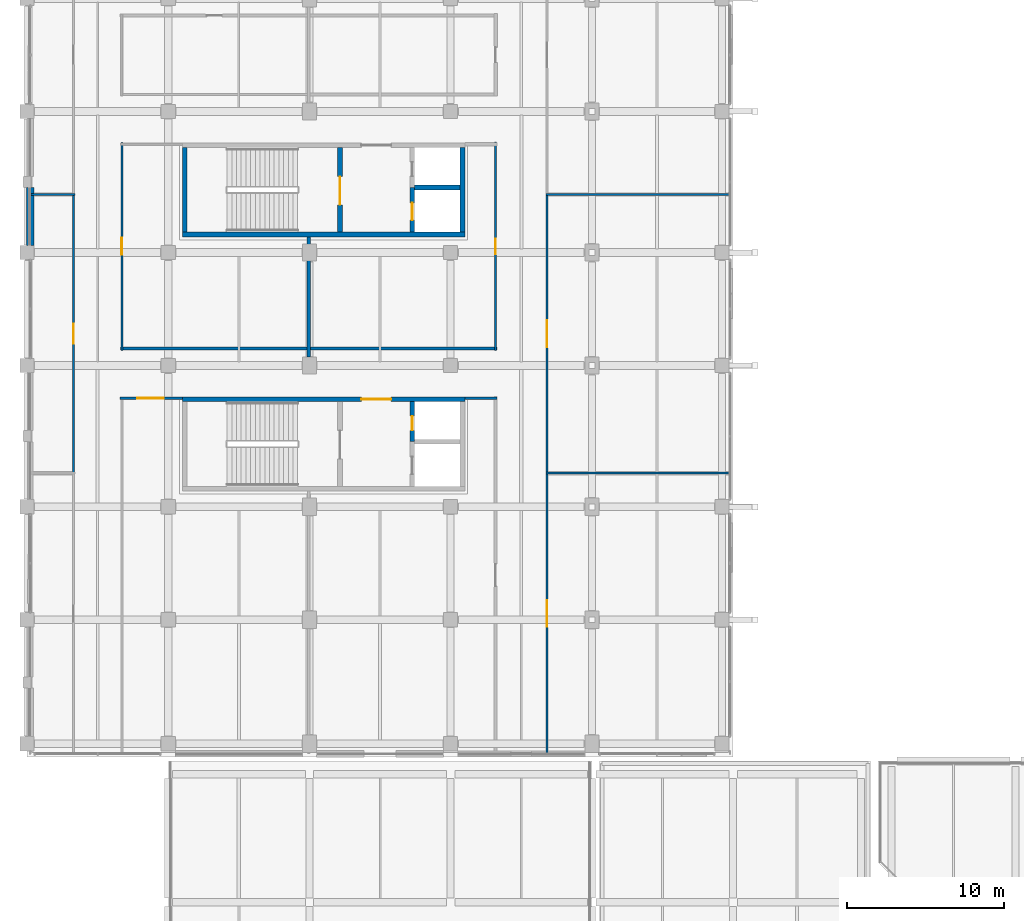
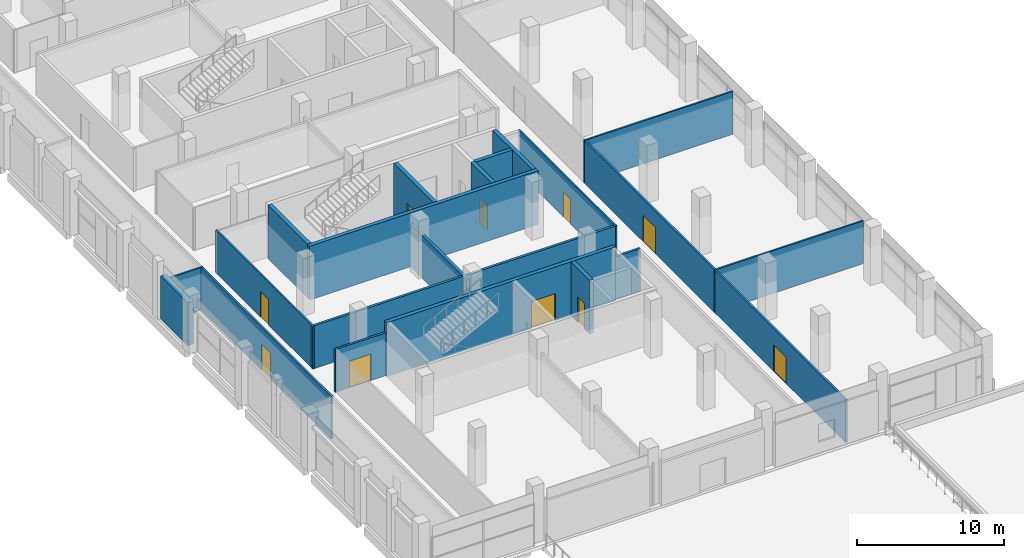
# One storey, part 47 of 82: 22 walls, 10 doors, 10 openings.
"""IFC4 building model written with IfcOpenShell, lengths in metres."""

from ifc_helpers import new_model, si_unit, direction, frame, frame_2d, origin, place, context, subcontext, project, spatial, rectangle, extrude, material, layer, layer_set, type_object, element, fill, save


model = new_model("IFC4")

# Units and contexts
model_context = context("Model", 3, precision=1e-05, world=origin(), true_north=direction((0.0, 1.0)))
body_context = subcontext(model_context, "Body", "Model", "MODEL_VIEW")
ifc_project = project(units=[si_unit("LENGTHUNIT", "METRE"), si_unit("AREAUNIT", "SQUARE_METRE"), si_unit("VOLUMEUNIT", "CUBIC_METRE"), si_unit("PLANEANGLEUNIT", "RADIAN"), si_unit("MASSUNIT", "GRAM", prefix="KILO"), si_unit("THERMODYNAMICTEMPERATUREUNIT", "KELVIN"), si_unit("POWERUNIT", "WATT")], contexts=[model_context])

# Site, building, storey
site_placement = place(None, origin())
site = spatial("IfcSite", under=ifc_project, at=site_placement, CompositionType="ELEMENT")
building_placement = place(site_placement, origin())
building = spatial("IfcBuilding", under=site, at=building_placement, Name="Sindhuravela Promenade Stadium", CompositionType="ELEMENT")
storey_placement = place(building_placement, frame((0.0, 0.0, 14.39990234375)))
storey = spatial("IfcBuildingStorey", under=building, at=storey_placement, Name="L03", CompositionType="ELEMENT", Elevation=14.39990234375)

# Wall
ifc_material_1 = material(Name="Terracotta clay brick masonry (15 MPa)", Category="masonry")
ifc_layer_1 = layer(ifc_material_1, 0.4599609375)
ifc_layer_set_1 = layer_set([ifc_layer_1], Name="Terracotta clay brick masonry (15 MPa)")
wall_type_1 = type_object("IfcWallType", Name="EX-WL-BRK460", PredefinedType="SOLIDWALL", material=ifc_layer_set_1)
wall_1_placement = place(storey_placement, frame((0.199951171875, 68.85498046875, 0.0), z_axis=(0.0, 0.0, 1.0), x_axis=(0.0, 1.0, 0.0)))
element("IfcWall", 1, at=wall_1_placement, inside=storey, type_object=wall_type_1, Name="Exterior masonry wall EW01 WEST L03", PredefinedType="SOLIDWALL", context=body_context, shape_type="SweptSolid", body=[
    extrude(rectangle(XDim=3.68994140625, YDim=0.4599609375, at=frame_2d((1.844970703125, 0.0))), origin(), (0.0, 0.0, 1.0), 3.580078125),
])

# Wall, opening, door
ifc_material_2 = material(Name="Fire-rated gypsum partition board", Category="gypsum")
ifc_layer_2 = layer(ifc_material_2, 0.110107421875)
ifc_layer_set_2 = layer_set([ifc_layer_2], Name="Fire-rated gypsum partition board")
wall_type_2 = type_object("IfcWallType", Name="IN-WL-PAR110", PredefinedType="PARTITIONING", material=ifc_layer_set_2)
wall_2_placement = place(storey_placement, frame((29.860107421875, 62.169921875, 0.0), z_axis=(0.0, 0.0, 1.0), x_axis=(0.0, 1.0, 0.0)))
wall_2 = element("IfcWall", 2, at=wall_2_placement, inside=storey, type_object=wall_type_2, Name="Corridor partition IW06 Executive Hospitality Suite W03 5", PredefinedType="PARTITIONING", context=body_context, shape_type="SweptSolid", body=[
    extrude(rectangle(XDim=13.260009765625, YDim=0.110107421875, at=frame_2d((6.6298828125, 0.0))), origin(), (0.0, 0.0, 1.0), 3.56005859375),
])
opening_1_placement = place(wall_2_placement, frame((6.1298828125, 0.0, 0.0)))
opening_1 = element("IfcOpeningElement", 3, at=opening_1_placement, cuts=wall_2, Name="Opening ID08", PredefinedType="OPENING", context=body_context, shape_type="SweptSolid", body=[
    extrude(rectangle(XDim=1.0, YDim=2.10009765625, at=frame_2d((0.5, 1.050048828125))), frame((0.0, 0.06494140625, 0.0), z_axis=(0.0, -1.0, 0.0), x_axis=(1.0, 0.0, 0.0)), (0.0, 0.0, 1.0), 0.130126953125),
])
ifc_material_3 = material(Name="Architectural teak timber leaf", Category="wood")
door_type_1 = type_object("IfcDoorType", Name="DR-INT-1000x2100", OperationType="NOTDEFINED", PredefinedType="DOOR", material=ifc_material_3)
door_1_placement = place(opening_1_placement, origin())
door_1 = element("IfcDoor", 4, at=door_1_placement, inside=storey, type_object=door_type_1, Name="Executive Hospitality Suite W03 5 door", OperationType="SINGLE_SWING_RIGHT", OverallHeight=2.10009765625, OverallWidth=1.0, PredefinedType="DOOR", context=body_context, shape_type="SweptSolid", body=[
    extrude(rectangle(XDim=1.0, YDim=2.10009765625, at=frame_2d((0.5, 1.050048828125))), frame((0.0, 0.02490234375, 0.0), z_axis=(0.0, -1.0, 0.0), x_axis=(1.0, 0.0, 0.0)), (0.0, 0.0, 1.0), 0.050048828125),
])
fill(opening_1, door_1)

# Walls
ifc_layer_3 = layer(ifc_material_2, 0.1298828125)
ifc_layer_set_3 = layer_set([ifc_layer_3], Name="Fire-rated gypsum partition board")
wall_type_3 = type_object("IfcWallType", Name="IN-WL-PAR130", PredefinedType="PARTITIONING", material=ifc_layer_set_3)
for number, where, z_axis, x_axis, name in (
    (5, (33.06005859375, 54.342041015625, 0.0), (0.0, 0.0, 1.0), (1.0, 0.0, 0.0), "Interior partition IW05 WEST L03"),
    (6, (33.06005859375, 72.114013671875, 0.0), (0.0, 0.0, 1.0), (1.0, 0.0, 0.0), "Interior partition IW05 WEST L03"),
):
    element("IfcWall", number, at=place(storey_placement, frame(where, z_axis=z_axis, x_axis=x_axis)), inside=storey, type_object=wall_type_3, Name=name, PredefinedType="PARTITIONING", context=body_context, shape_type="SweptSolid", body=[
        extrude(rectangle(XDim=11.70703125, YDim=0.1298828125, at=frame_2d((5.853515625, 0.0))), origin(), (0.0, 0.0, 1.0), 3.56005859375),
    ])

# Wall, opening, door
wall_3_placement = place(storey_placement, frame((6.0400390625, 75.429931640625, 0.0), z_axis=(0.0, 0.0, 1.0), x_axis=(0.0, -1.0, 0.0)))
wall_3 = element("IfcWall", 7, at=wall_3_placement, inside=storey, type_object=wall_type_3, Name="Corridor partition IW05 Executive Hospitality Suite W01 3", PredefinedType="PARTITIONING", context=body_context, shape_type="SweptSolid", body=[
    extrude(rectangle(XDim=13.260009765625, YDim=0.1298828125, at=frame_2d((6.6298828125, 0.0))), origin(), (0.0, 0.0, 1.0), 3.56005859375),
])
opening_2_placement = place(wall_3_placement, frame((6.080078125, 0.0, 0.0)))
opening_2 = element("IfcOpeningElement", 8, at=opening_2_placement, cuts=wall_3, Name="Opening ID06", PredefinedType="OPENING", context=body_context, shape_type="SweptSolid", body=[
    extrude(rectangle(XDim=1.10009765625, YDim=2.10009765625, at=frame_2d((0.550048828125, 1.050048828125))), frame((0.0, 0.074951171875, 0.0), z_axis=(0.0, -1.0, 0.0), x_axis=(1.0, 0.0, 0.0)), (0.0, 0.0, 1.0), 0.14990234375),
])
door_type_2 = type_object("IfcDoorType", Name="DR-INT-1100x2100", OperationType="NOTDEFINED", PredefinedType="DOOR", material=ifc_material_3)
door_2_placement = place(opening_2_placement, origin())
door_2 = element("IfcDoor", 9, at=door_2_placement, inside=storey, type_object=door_type_2, Name="Executive Hospitality Suite W01 3 door", OperationType="SINGLE_SWING_RIGHT", OverallHeight=2.10009765625, OverallWidth=1.10009765625, PredefinedType="DOOR", context=body_context, shape_type="SweptSolid", body=[
    extrude(rectangle(XDim=1.10009765625, YDim=2.10009765625, at=frame_2d((0.550048828125, 1.050048828125))), frame((0.0, 0.02490234375, 0.0), z_axis=(0.0, -1.0, 0.0), x_axis=(1.0, 0.0, 0.0)), (0.0, 0.0, 1.0), 0.050048828125),
])
fill(opening_2, door_2)

# Wall
wall_4_placement = place(storey_placement, frame((0.239990234375, 72.114013671875, 0.0), z_axis=(0.0, 0.0, 1.0), x_axis=(1.0, 0.0, 0.0)))
element("IfcWall", 10, at=wall_4_placement, inside=storey, type_object=wall_type_3, Name="Interior partition IW05 WEST L03", PredefinedType="PARTITIONING", context=body_context, shape_type="SweptSolid", body=[
    extrude(rectangle(XDim=2.800048828125, YDim=0.1298828125, at=frame_2d((1.39990234375, 0.0))), origin(), (0.0, 0.0, 1.0), 3.56005859375),
])

# Wall, opening, door
ifc_layer_4 = layer(ifc_material_2, 0.14990234375)
ifc_layer_set_4 = layer_set([ifc_layer_4], Name="Fire-rated gypsum partition board")
wall_type_4 = type_object("IfcWallType", Name="IN-WL-PAR150", PredefinedType="PARTITIONING", material=ifc_layer_set_4)
wall_5_placement = place(storey_placement, frame((33.139892578125, 54.342041015625, 0.0), z_axis=(0.0, 0.0, 1.0), x_axis=(0.0, -1.0, 0.0)))
wall_5 = element("IfcWall", 11, at=wall_5_placement, inside=storey, type_object=wall_type_4, Name="Corridor partition IW04 Executive Hospitality Suite W03", PredefinedType="PARTITIONING", context=body_context, shape_type="SweptSolid", body=[
    extrude(rectangle(XDim=17.89208984375, YDim=0.14990234375, at=frame_2d((8.946044921875, 0.0))), origin(), (0.0, 0.0, 1.0), 3.56005859375),
])
opening_3_placement = place(wall_5_placement, frame((8.095947265625, 0.0, 0.0)))
opening_3 = element("IfcOpeningElement", 12, at=opening_3_placement, cuts=wall_5, Name="Opening ID01", PredefinedType="OPENING", context=body_context, shape_type="SweptSolid", body=[
    extrude(rectangle(XDim=1.699951171875, YDim=2.199951171875, at=frame_2d((0.85009765625, 1.10009765625))), frame((0.0, 0.0849609375, 0.0), z_axis=(0.0, -1.0, 0.0), x_axis=(1.0, 0.0, 0.0)), (0.0, 0.0, 1.0), 0.169921875),
])
door_type_3 = type_object("IfcDoorType", Name="DR-INT-1700x2200", OperationType="DOUBLE_DOOR_SINGLE_SWING", PredefinedType="DOOR", material=ifc_material_3)
door_3_placement = place(opening_3_placement, origin())
door_3 = element("IfcDoor", 13, at=door_3_placement, inside=storey, type_object=door_type_3, Name="Executive Hospitality Suite W03 door", OperationType="DOUBLE_DOOR_SINGLE_SWING", OverallHeight=2.199951171875, OverallWidth=1.699951171875, PredefinedType="DOOR", context=body_context, shape_type="SweptSolid", body=[
    extrude(rectangle(XDim=1.699951171875, YDim=2.199951171875, at=frame_2d((0.85009765625, 1.10009765625))), frame((0.0, 0.02490234375, 0.0), z_axis=(0.0, -1.0, 0.0), x_axis=(1.0, 0.0, 0.0)), (0.0, 0.0, 1.0), 0.050048828125),
])
fill(opening_3, door_3)

wall_6_placement = place(storey_placement, frame((33.139892578125, 72.114013671875, 0.0), z_axis=(0.0, 0.0, 1.0), x_axis=(0.0, -1.0, 0.0)))
wall_6 = element("IfcWall", 14, at=wall_6_placement, inside=storey, type_object=wall_type_4, Name="Corridor partition IW04 Accessible WC West L03", PredefinedType="PARTITIONING", context=body_context, shape_type="SweptSolid", body=[
    extrude(rectangle(XDim=17.77197265625, YDim=0.14990234375, at=frame_2d((8.885986328125, 0.0))), origin(), (0.0, 0.0, 1.0), 3.56005859375),
])
opening_4_placement = place(wall_6_placement, frame((8.035888671875, 0.0, 0.0)))
opening_4 = element("IfcOpeningElement", 15, at=opening_4_placement, cuts=wall_6, Name="Opening ID01", PredefinedType="OPENING", context=body_context, shape_type="SweptSolid", body=[
    extrude(rectangle(XDim=1.699951171875, YDim=2.199951171875, at=frame_2d((0.85009765625, 1.10009765625))), frame((0.0, 0.0849609375, 0.0), z_axis=(0.0, -1.0, 0.0), x_axis=(1.0, 0.0, 0.0)), (0.0, 0.0, 1.0), 0.169921875),
])
door_4_placement = place(opening_4_placement, origin())
door_4 = element("IfcDoor", 16, at=door_4_placement, inside=storey, type_object=door_type_3, Name="Accessible WC West L03 door", OperationType="DOUBLE_DOOR_SINGLE_SWING", OverallHeight=2.199951171875, OverallWidth=1.699951171875, PredefinedType="DOOR", context=body_context, shape_type="SweptSolid", body=[
    extrude(rectangle(XDim=1.699951171875, YDim=2.199951171875, at=frame_2d((0.85009765625, 1.10009765625))), frame((0.0, 0.02490234375, 0.0), z_axis=(0.0, -1.0, 0.0), x_axis=(1.0, 0.0, 0.0)), (0.0, 0.0, 1.0), 0.050048828125),
])
fill(opening_4, door_4)

wall_7_placement = place(storey_placement, frame((2.9599609375, 54.342041015625, 0.0), z_axis=(0.0, 0.0, 1.0), x_axis=(0.0, 1.0, 0.0)))
wall_7 = element("IfcWall", 17, at=wall_7_placement, inside=storey, type_object=wall_type_4, Name="Corridor partition IW04 Executive Hospitality Suite W01 11", PredefinedType="PARTITIONING", context=body_context, shape_type="SweptSolid", body=[
    extrude(rectangle(XDim=17.77197265625, YDim=0.14990234375, at=frame_2d((8.885986328125, 0.0))), origin(), (0.0, 0.0, 1.0), 3.56005859375),
])
opening_5_placement = place(wall_7_placement, frame((8.260986328125, 0.0, 0.0)))
opening_5 = element("IfcOpeningElement", 18, at=opening_5_placement, cuts=wall_7, Name="Opening ID04", PredefinedType="OPENING", context=body_context, shape_type="SweptSolid", body=[
    extrude(rectangle(XDim=1.25, YDim=2.14990234375, at=frame_2d((0.625, 1.074951171875))), frame((0.0, 0.0849609375, 0.0), z_axis=(0.0, -1.0, 0.0), x_axis=(1.0, 0.0, 0.0)), (0.0, 0.0, 1.0), 0.169921875),
])
door_type_4 = type_object("IfcDoorType", Name="DR-INT-1250x2150", OperationType="NOTDEFINED", PredefinedType="DOOR", material=ifc_material_3)
door_5_placement = place(opening_5_placement, origin())
door_5 = element("IfcDoor", 19, at=door_5_placement, inside=storey, type_object=door_type_4, Name="Executive Hospitality Suite W01 11 door", OperationType="SINGLE_SWING_RIGHT", OverallHeight=2.14990234375, OverallWidth=1.25, PredefinedType="DOOR", context=body_context, shape_type="SweptSolid", body=[
    extrude(rectangle(XDim=1.25, YDim=2.14990234375, at=frame_2d((0.625, 1.074951171875))), frame((0.0, 0.02490234375, 0.0), z_axis=(0.0, -1.0, 0.0), x_axis=(1.0, 0.0, 0.0)), (0.0, 0.0, 1.0), 0.050048828125),
])
fill(opening_5, door_5)

ifc_layer_5 = layer(ifc_material_2, 0.175048828125)
ifc_layer_set_5 = layer_set([ifc_layer_5], Name="Fire-rated gypsum partition board")
wall_type_5 = type_object("IfcWallType", Name="IN-WL-PAR175", PredefinedType="PARTITIONING", material=ifc_layer_set_5)
wall_8_placement = place(storey_placement, frame((9.89794921875, 59.110107421875, 0.0), z_axis=(0.0, 0.0, 1.0), x_axis=(-1.0, 0.0, 0.0)))
wall_8 = element("IfcWall", 20, at=wall_8_placement, inside=storey, type_object=wall_type_5, Name="Corridor partition IW03 Grand Banquet Hall West", PredefinedType="PARTITIONING", context=body_context, shape_type="SweptSolid", body=[
    extrude(rectangle(XDim=3.97802734375, YDim=0.175048828125, at=frame_2d((1.989013671875, 0.0))), origin(), (0.0, 0.0, 1.0), 3.56005859375),
])
opening_6_placement = place(wall_8_placement, frame((1.177978515625, 0.0, 0.0)))
opening_6 = element("IfcOpeningElement", 21, at=opening_6_placement, cuts=wall_8, Name="Opening ID01", PredefinedType="OPENING", context=body_context, shape_type="SweptSolid", body=[
    extrude(rectangle(XDim=1.699951171875, YDim=2.199951171875, at=frame_2d((0.85009765625, 1.10009765625))), frame((0.0, 0.097412109375, 0.0), z_axis=(0.0, -1.0, 0.0), x_axis=(1.0, 0.0, 0.0)), (0.0, 0.0, 1.0), 0.195068359375),
])
door_6_placement = place(opening_6_placement, origin())
door_6 = element("IfcDoor", 22, at=door_6_placement, inside=storey, type_object=door_type_3, Name="Grand Banquet Hall West door", OperationType="DOUBLE_DOOR_SINGLE_SWING", OverallHeight=2.199951171875, OverallWidth=1.699951171875, PredefinedType="DOOR", context=body_context, shape_type="SweptSolid", body=[
    extrude(rectangle(XDim=1.699951171875, YDim=2.199951171875, at=frame_2d((0.85009765625, 1.10009765625))), frame((0.0, 0.02490234375, 0.0), z_axis=(0.0, -1.0, 0.0), x_axis=(1.0, 0.0, 0.0)), (0.0, 0.0, 1.0), 0.050048828125),
])
fill(opening_6, door_6)

# Walls
wall_9_placement = place(storey_placement, frame((27.902099609375, 59.110107421875, 0.0), z_axis=(0.0, 0.0, 1.0), x_axis=(1.0, 0.0, 0.0)))
element("IfcWall", 23, at=wall_9_placement, inside=storey, type_object=wall_type_5, Name="Interior partition IW03 WEST L03", PredefinedType="PARTITIONING", context=body_context, shape_type="SweptSolid", body=[
    extrude(rectangle(XDim=2.037841796875, YDim=0.175048828125, at=frame_2d((1.01904296875, 0.0))), origin(), (0.0, 0.0, 1.0), 3.56005859375),
])
ifc_layer_6 = layer(ifc_material_2, 0.195068359375)
ifc_layer_set_6 = layer_set([ifc_layer_6], Name="Fire-rated gypsum partition board")
wall_type_6 = type_object("IfcWallType", Name="IN-WL-PAR195", PredefinedType="PARTITIONING", material=ifc_layer_set_6)
for number, where, z_axis, x_axis, name in (
    (24, (17.909912109375, 62.2900390625, 0.0), (0.0, 0.0, 1.0), (-1.0, 0.0, 0.0), "Interior partition IW02 WEST L03"),
    (25, (29.93994140625, 62.2900390625, 0.0), (0.0, 0.0, 1.0), (-1.0, 0.0, 0.0), "Interior partition IW02 WEST L03"),
):
    element("IfcWall", number, at=place(storey_placement, frame(where, z_axis=z_axis, x_axis=x_axis)), inside=storey, type_object=wall_type_6, Name=name, PredefinedType="PARTITIONING", context=body_context, shape_type="SweptSolid", body=[
        extrude(rectangle(XDim=11.949951171875, YDim=0.195068359375, at=frame_2d((5.97509765625, 0.0))), origin(), (0.0, 0.0, 1.0), 3.56005859375),
    ])
ifc_layer_7 = layer(ifc_material_2, 0.219970703125)
ifc_layer_set_7 = layer_set([ifc_layer_7], Name="Fire-rated gypsum partition board")
wall_type_7 = type_object("IfcWallType", Name="IN-WL-PAR220", PredefinedType="PARTITIONING", material=ifc_layer_set_7)
wall_10_placement = place(storey_placement, frame((17.949951171875, 69.39794921875, 0.0), z_axis=(0.0, 0.0, 1.0), x_axis=(0.0, -1.0, 0.0)))
element("IfcWall", 26, at=wall_10_placement, inside=storey, type_object=wall_type_7, Name="Interior partition IW01 WEST L03", PredefinedType="PARTITIONING", context=body_context, shape_type="SweptSolid", body=[
    extrude(rectangle(XDim=7.64599609375, YDim=0.219970703125, at=frame_2d((3.822998046875, 0.0))), origin(), (0.0, 0.0, 1.0), 3.56005859375),
])

# Wall, opening, door
ifc_material_4 = material(Name="Concrete M50", Category="concrete")
ifc_layer_8 = layer(ifc_material_4, 0.300048828125)
ifc_layer_set_8 = layer_set([ifc_layer_8], Name="Concrete M50")
wall_type_8 = type_object("IfcWallType", Name="RC-SW-300", PredefinedType="SHEAR", material=ifc_layer_set_8)
wall_11_placement = place(storey_placement, frame((27.89990234375, 59.050048828125, 0.0), z_axis=(0.0, 0.0, 1.0), x_axis=(-1.0, 0.0, 0.0)))
wall_11 = element("IfcWall", 27, at=wall_11_placement, inside=storey, type_object=wall_type_8, Name="Core shear wall C01-N (L03)", PredefinedType="SHEAR", context=body_context, shape_type="SweptSolid", body=[
    extrude(rectangle(XDim=18.0, YDim=0.300048828125, at=frame_2d((9.0, 0.0))), origin(), (0.0, 0.0, 1.0), 4.47998046875),
])
opening_7_placement = place(wall_11_placement, frame((4.699951171875, 0.0, 0.0)))
opening_7 = element("IfcOpeningElement", 28, at=opening_7_placement, cuts=wall_11, Name="Opening FD02", PredefinedType="OPENING", context=body_context, shape_type="SweptSolid", body=[
    extrude(rectangle(XDim=1.89990234375, YDim=2.25, at=frame_2d((0.949951171875, 1.125))), frame((0.0, 0.159912109375, 0.0), z_axis=(0.0, -1.0, 0.0), x_axis=(1.0, 0.0, 0.0)), (0.0, 0.0, 1.0), 0.320068359375),
])
ifc_material_5 = material(Name="Architectural wrought steel E350", Category="steel")
door_type_5 = type_object("IfcDoorType", Name="DR-LOB-1900x2250", OperationType="DOUBLE_DOOR_SINGLE_SWING", PredefinedType="DOOR", material=ifc_material_5)
door_7_placement = place(opening_7_placement, origin())
door_7 = element("IfcDoor", 29, at=door_7_placement, inside=storey, type_object=door_type_5, Name="Protected lobby entrance door C01 (L03)", OperationType="DOUBLE_DOOR_SINGLE_SWING", OverallHeight=2.25, OverallWidth=1.89990234375, PredefinedType="DOOR", context=body_context, shape_type="SweptSolid", body=[
    extrude(rectangle(XDim=1.89990234375, YDim=2.25, at=frame_2d((0.949951171875, 1.125))), frame((0.0, 0.02490234375, 0.0), z_axis=(0.0, -1.0, 0.0), x_axis=(1.0, 0.0, 0.0)), (0.0, 0.0, 1.0), 0.050048828125),
])
fill(opening_7, door_7)

wall_12_placement = place(storey_placement, frame((24.550048828125, 56.35009765625, 0.0), z_axis=(0.0, 0.0, 1.0), x_axis=(0.0, 1.0, 0.0)))
wall_12 = element("IfcWall", 30, at=wall_12_placement, inside=storey, type_object=wall_type_8, Name="Core shear wall C01-RSR (L03)", PredefinedType="SHEAR", context=body_context, shape_type="SweptSolid", body=[
    extrude(rectangle(XDim=2.5498046875, YDim=0.300048828125, at=frame_2d((1.27490234375, 0.0))), origin(), (0.0, 0.0, 1.0), 4.47998046875),
])
opening_8_placement = place(wall_12_placement, frame((0.72509765625, 0.0, 0.0)))
opening_8 = element("IfcOpeningElement", 31, at=opening_8_placement, cuts=wall_12, Name="Opening FD03", PredefinedType="OPENING", context=body_context, shape_type="SweptSolid", body=[
    extrude(rectangle(XDim=0.89990234375, YDim=2.10009765625, at=frame_2d((0.449951171875, 1.050048828125))), frame((0.0, 0.159912109375, 0.0), z_axis=(0.0, -1.0, 0.0), x_axis=(1.0, 0.0, 0.0)), (0.0, 0.0, 1.0), 0.320068359375),
])
door_type_6 = type_object("IfcDoorType", Name="DR-RSR-900x2100", OperationType="NOTDEFINED", PredefinedType="DOOR", material=ifc_material_5)
door_8_placement = place(opening_8_placement, origin())
door_8 = element("IfcDoor", 32, at=door_8_placement, inside=storey, type_object=door_type_6, Name="Riser shaft access door C01 (L03)", OperationType="SINGLE_SWING_RIGHT", OverallHeight=2.10009765625, OverallWidth=0.89990234375, PredefinedType="DOOR", context=body_context, shape_type="SweptSolid", body=[
    extrude(rectangle(XDim=0.89990234375, YDim=2.10009765625, at=frame_2d((0.449951171875, 1.050048828125))), frame((0.0, 0.02490234375, 0.0), z_axis=(0.0, -1.0, 0.0), x_axis=(1.0, 0.0, 0.0)), (0.0, 0.0, 1.0), 0.050048828125),
])
fill(opening_8, door_8)

# Walls
wall_13_placement = place(storey_placement, frame((9.89990234375, 69.550048828125, 0.0), z_axis=(0.0, 0.0, 1.0), x_axis=(1.0, 0.0, 0.0)))
element("IfcWall", 33, at=wall_13_placement, inside=storey, type_object=wall_type_8, Name="Core shear wall C02-S (L03)", PredefinedType="SHEAR", context=body_context, shape_type="SweptSolid", body=[
    extrude(rectangle(XDim=18.0, YDim=0.300048828125, at=frame_2d((9.0, 0.0))), origin(), (0.0, 0.0, 1.0), 4.47998046875),
])
for number, where, z_axis, x_axis, name in (
    (34, (10.050048828125, 75.10009765625, 0.0), (0.0, 0.0, 1.0), (0.0, -1.0, 0.0), "Core shear wall C02-W (L03)"),
    (35, (27.75, 69.699951171875, 0.0), (0.0, 0.0, 1.0), (0.0, 1.0, 0.0), "Core shear wall C02-E (L03)"),
):
    element("IfcWall", number, at=place(storey_placement, frame(where, z_axis=z_axis, x_axis=x_axis)), inside=storey, type_object=wall_type_8, Name=name, PredefinedType="SHEAR", context=body_context, shape_type="SweptSolid", body=[
        extrude(rectangle(XDim=5.400146484375, YDim=0.300048828125, at=frame_2d((2.7001953125, 0.0))), origin(), (0.0, 0.0, 1.0), 4.47998046875),
    ])

# Wall, opening, door
wall_14_placement = place(storey_placement, frame((19.949951171875, 69.699951171875, 0.0), z_axis=(0.0, 0.0, 1.0), x_axis=(0.0, 1.0, 0.0)))
wall_14 = element("IfcWall", 36, at=wall_14_placement, inside=storey, type_object=wall_type_8, Name="Core shear wall C02-ST (L03)", PredefinedType="SHEAR", context=body_context, shape_type="SweptSolid", body=[
    extrude(rectangle(XDim=5.400146484375, YDim=0.300048828125, at=frame_2d((2.7001953125, 0.0))), origin(), (0.0, 0.0, 1.0), 4.47998046875),
])
opening_9_placement = place(wall_14_placement, frame((1.75, 0.0, 0.0)))
opening_9 = element("IfcOpeningElement", 37, at=opening_9_placement, cuts=wall_14, Name="Opening FD01", PredefinedType="OPENING", context=body_context, shape_type="SweptSolid", body=[
    extrude(rectangle(XDim=1.800048828125, YDim=2.25, at=frame_2d((0.89990234375, 1.125))), frame((0.0, 0.159912109375, 0.0), z_axis=(0.0, -1.0, 0.0), x_axis=(1.0, 0.0, 0.0)), (0.0, 0.0, 1.0), 0.320068359375),
])
door_type_7 = type_object("IfcDoorType", Name="DR-CORE-1800x2250", OperationType="DOUBLE_DOOR_SINGLE_SWING", PredefinedType="DOOR", material=ifc_material_5)
door_9_placement = place(opening_9_placement, origin())
door_9 = element("IfcDoor", 38, at=door_9_placement, inside=storey, type_object=door_type_7, Name="Stair ST02 lobby fire door (L03)", OperationType="DOUBLE_DOOR_SINGLE_SWING", OverallHeight=2.25, OverallWidth=1.800048828125, PredefinedType="DOOR", context=body_context, shape_type="SweptSolid", body=[
    extrude(rectangle(XDim=1.800048828125, YDim=2.25, at=frame_2d((0.89990234375, 1.125))), frame((0.0, 0.02490234375, 0.0), z_axis=(0.0, -1.0, 0.0), x_axis=(1.0, 0.0, 0.0)), (0.0, 0.0, 1.0), 0.050048828125),
])
fill(opening_9, door_9)

wall_15_placement = place(storey_placement, frame((24.550048828125, 69.699951171875, 0.0), z_axis=(0.0, 0.0, 1.0), x_axis=(0.0, 1.0, 0.0)))
wall_15 = element("IfcWall", 39, at=wall_15_placement, inside=storey, type_object=wall_type_8, Name="Core shear wall C02-LFT (L03)", PredefinedType="SHEAR", context=body_context, shape_type="SweptSolid", body=[
    extrude(rectangle(XDim=2.85009765625, YDim=0.300048828125, at=frame_2d((1.425048828125, 0.0))), origin(), (0.0, 0.0, 1.0), 4.47998046875),
])
opening_10_placement = place(wall_15_placement, frame((0.77490234375, 0.0, 0.0)))
opening_10 = element("IfcOpeningElement", 40, at=opening_10_placement, cuts=wall_15, Name="Opening LD", PredefinedType="OPENING", context=body_context, shape_type="SweptSolid", body=[
    extrude(rectangle(XDim=1.10009765625, YDim=2.10009765625, at=frame_2d((0.550048828125, 1.050048828125))), frame((0.0, 0.159912109375, 0.0), z_axis=(0.0, -1.0, 0.0), x_axis=(1.0, 0.0, 0.0)), (0.0, 0.0, 1.0), 0.320068359375),
])
door_type_8 = type_object("IfcDoorType", Name="DR-LFT-1100x2100", OperationType="DOUBLE_DOOR_SLIDING", PredefinedType="DOOR", material=ifc_material_5)
door_10_placement = place(opening_10_placement, origin())
door_10 = element("IfcDoor", 41, at=door_10_placement, inside=storey, type_object=door_type_8, Name="Lift FL02 landing door (L03)", OperationType="DOUBLE_DOOR_SLIDING", OverallHeight=2.10009765625, OverallWidth=1.10009765625, PredefinedType="DOOR", context=body_context, shape_type="SweptSolid", body=[
    extrude(rectangle(XDim=1.10009765625, YDim=2.10009765625, at=frame_2d((0.550048828125, 1.050048828125))), frame((0.0, 0.02490234375, 0.0), z_axis=(0.0, -1.0, 0.0), x_axis=(1.0, 0.0, 0.0)), (0.0, 0.0, 1.0), 0.050048828125),
])
fill(opening_10, door_10)

# Wall
wall_16_placement = place(storey_placement, frame((24.699951171875, 72.550048828125, 0.0), z_axis=(0.0, 0.0, 1.0), x_axis=(1.0, 0.0, 0.0)))
element("IfcWall", 42, at=wall_16_placement, inside=storey, type_object=wall_type_8, Name="Core shear wall C02-DIV (L03)", PredefinedType="SHEAR", context=body_context, shape_type="SweptSolid", body=[
    extrude(rectangle(XDim=2.900146484375, YDim=0.300048828125, at=frame_2d((1.4501953125, 0.0))), origin(), (0.0, 0.0, 1.0), 4.47998046875),
])

save(model, "model.ifc")
